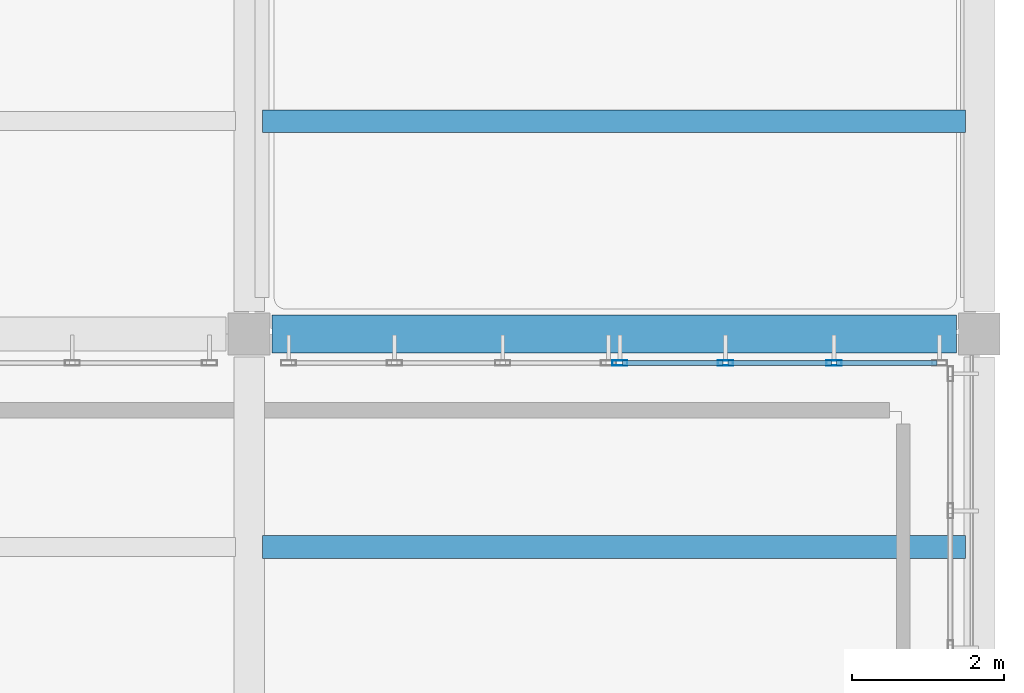
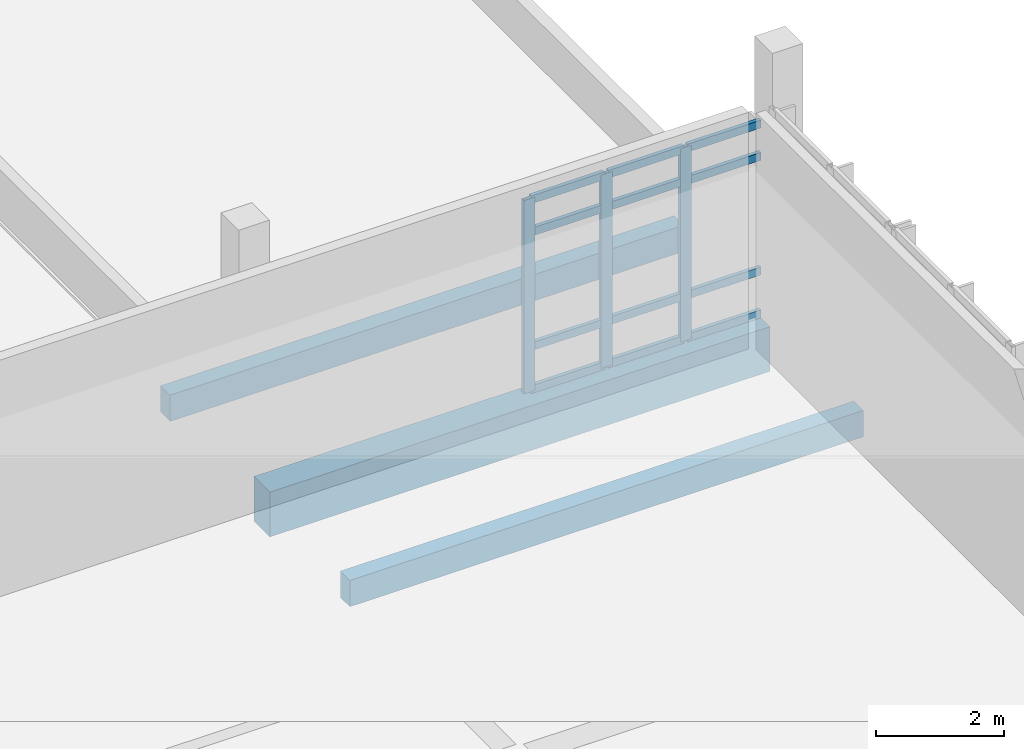
# One storey, part 28 of 63: 15 members, 3 beams, 1 element without a shape of its own.
"""IFC4 building model written with IfcOpenShell, lengths in metres."""

from ifc_helpers import new_model, si_unit, derived_unit, direction, frame, origin, origin_2d, place, context, subcontext, project, spatial, rectangle, hollow_rectangle, extrude, material, layer, layer_set, material_profile, profile_set, type_object, element, aggregate, save


model = new_model("IFC4")

# Units and contexts
model_context = context("Model", 3, precision=1e-05, world=origin(), true_north=direction((0.0, 1.0)))
body_context = subcontext(model_context, "Body", "Model", "MODEL_VIEW")
ifc_project = project(units=[si_unit("LENGTHUNIT", "METRE"), si_unit("AREAUNIT", "SQUARE_METRE"), si_unit("VOLUMEUNIT", "CUBIC_METRE"), si_unit("PLANEANGLEUNIT", "RADIAN"), si_unit("MASSUNIT", "GRAM", prefix="KILO"), derived_unit("THERMALTRANSMITTANCEUNIT", [(si_unit("POWERUNIT", "WATT"), 1), (si_unit("LENGTHUNIT", "METRE"), -2), (si_unit("THERMODYNAMICTEMPERATUREUNIT", "KELVIN"), -1)])], contexts=[model_context])

# Site, building, storey
site_placement = place(None, origin())
site = spatial("IfcSite", under=ifc_project, at=site_placement, CompositionType="ELEMENT")
building_placement = place(site_placement, origin())
building = spatial("IfcBuilding", under=site, at=building_placement, Name="Elbkamm Science Centre", CompositionType="ELEMENT")
storey_placement = place(building_placement, frame((0.0, 0.0, 5.10009765625)))
storey = spatial("IfcBuildingStorey", under=building, at=storey_placement, Name="L01", CompositionType="ELEMENT", Elevation=5.10009765625)

# Beam
ifc_material_1 = material(Name="Concrete C40/50", Category="concrete")
ifc_material_profile_1 = material_profile(ifc_material_1, rectangle(XDim=0.5, YDim=0.85009765625, at=origin_2d()), Name="RC 500x850")
ifc_profile_set_1 = profile_set([ifc_material_profile_1], Name="Concrete C40/50")
beam_type_1 = type_object("IfcBeamType", Name="BM-RC-500x850", PredefinedType="BEAM", material=ifc_profile_set_1)
beam_placement = place(storey_placement, frame((151.5, 75.60009765625, -0.8251953125), z_axis=(1.0, 0.0, 0.0), x_axis=(0.0, 1.0, 0.0)))
element("IfcBeam", 1, at=beam_placement, inside=storey, type_object=beam_type_1, Name="L01 Primary X-Girder 075", PredefinedType="BEAM", context=body_context, shape_type="SweptSolid", body=[
    extrude(rectangle(XDim=0.5, YDim=0.85009765625, at=origin_2d()), origin(), (0.0, 0.0, 1.0), 9.0),
])

# Curtain wall, members
ifc_material_2 = material(Name="Powder-coated aluminium and triple low-E glazing", Category="aluminium")
ifc_layer = layer(ifc_material_2, 0.159912109375)
ifc_layer_set = layer_set([ifc_layer], Name="Powder-coated aluminium and triple low-E glazing")
curtain_wall_type = type_object("IfcCurtainWallType", Name="CW-UNIT-4280x3680", PredefinedType="USERDEFINED", material=ifc_layer_set)
curtain_wall_placement = place(storey_placement, origin())
curtain_wall = element("IfcCurtainWall", 2, at=curtain_wall_placement, inside=storey, type_object=curtain_wall_type, Name="L01 Unitised Curtain Wall 164", ObjectType="UNITISED CURTAIN WALL", PredefinedType="USERDEFINED")
ifc_material_3 = material(Name="Powder-coated aluminium EN AW-6060", Category="aluminium")
ifc_material_profile_2 = material_profile(ifc_material_3, hollow_rectangle(XDim=0.070068359375, YDim=0.199951171875, WallThickness=0.00439453125, at=origin_2d()), Name="ALU M70x200")
ifc_profile_set_2 = profile_set([ifc_material_profile_2], Name="Powder-coated aluminium EN AW-6060")
member_type_1 = type_object("IfcMemberType", Name="CW-MUL-70x200", PredefinedType="MULLION", material=ifc_profile_set_2)
member_1_placement = place(storey_placement, frame((156.074951171875, 75.219970703125, 0.0), z_axis=(0.0, 0.0, 1.0), x_axis=(0.0, 1.0, 0.0)))
member_1 = element("IfcMember", 3, at=member_1_placement, type_object=member_type_1, Name="CW-076 mullion 1", PredefinedType="MULLION", context=body_context, shape_type="SweptSolid", body=[
    extrude(hollow_rectangle(XDim=0.070068359375, YDim=0.199951171875, WallThickness=0.00439453125, at=origin_2d()), origin(), (0.0, 0.0, 1.0), 3.679931640625),
])
member_2_placement = place(storey_placement, frame((157.464599609375, 75.219970703125, 0.0), z_axis=(0.0, 0.0, 1.0), x_axis=(0.0, 1.0, 0.0)))
member_2 = element("IfcMember", 4, at=member_2_placement, type_object=member_type_1, Name="CW-076 mullion 2", PredefinedType="MULLION", context=body_context, shape_type="SweptSolid", body=[
    extrude(hollow_rectangle(XDim=0.070068359375, YDim=0.199951171875, WallThickness=0.00439453125, at=origin_2d()), origin(), (0.0, 0.0, 1.0), 3.679931640625),
])
member_3_placement = place(storey_placement, frame((158.88916015625, 75.219970703125, 0.0), z_axis=(0.0, 0.0, 1.0), x_axis=(0.0, 1.0, 0.0)))
member_3 = element("IfcMember", 5, at=member_3_placement, type_object=member_type_1, Name="CW-076 mullion 3", PredefinedType="MULLION", context=body_context, shape_type="SweptSolid", body=[
    extrude(hollow_rectangle(XDim=0.070068359375, YDim=0.199951171875, WallThickness=0.00439453125, at=origin_2d()), origin(), (0.0, 0.0, 1.0), 3.679931640625),
])
ifc_material_profile_3 = material_profile(ifc_material_3, hollow_rectangle(XDim=0.070068359375, YDim=0.14990234375, WallThickness=0.00390625, at=origin_2d()), Name="ALU T70x150")
ifc_profile_set_3 = profile_set([ifc_material_profile_3], Name="Powder-coated aluminium EN AW-6060")
member_type_2 = type_object("IfcMemberType", Name="CW-TRN-70x150", PredefinedType="USERDEFINED", material=ifc_profile_set_3)
member_4_placement = place(storey_placement, frame((156.110107421875, 75.219970703125, 0.034912109375), z_axis=(1.0, 0.0, 0.0), x_axis=(0.0, 1.0, 0.0)))
member_4 = element("IfcMember", 6, at=member_4_placement, type_object=member_type_2, Name="CW-076 transom 1.1", ObjectType="TRANSOM", PredefinedType="USERDEFINED", context=body_context, shape_type="SweptSolid", body=[
    extrude(hollow_rectangle(XDim=0.070068359375, YDim=0.14990234375, WallThickness=0.00390625, at=origin_2d()), origin(), (0.0, 0.0, 1.0), 1.319580078125),
])
member_5_placement = place(storey_placement, frame((156.110107421875, 75.219970703125, 0.849853515625), z_axis=(1.0, 0.0, 0.0), x_axis=(0.0, 1.0, 0.0)))
member_5 = element("IfcMember", 7, at=member_5_placement, type_object=member_type_2, Name="CW-076 transom 1.2", ObjectType="TRANSOM", PredefinedType="USERDEFINED", context=body_context, shape_type="SweptSolid", body=[
    extrude(hollow_rectangle(XDim=0.070068359375, YDim=0.14990234375, WallThickness=0.00390625, at=origin_2d()), origin(), (0.0, 0.0, 1.0), 1.319580078125),
])
member_6_placement = place(storey_placement, frame((156.110107421875, 75.219970703125, 3.02978515625), z_axis=(1.0, 0.0, 0.0), x_axis=(0.0, 1.0, 0.0)))
member_6 = element("IfcMember", 8, at=member_6_placement, type_object=member_type_2, Name="CW-076 transom 1.3", ObjectType="TRANSOM", PredefinedType="USERDEFINED", context=body_context, shape_type="SweptSolid", body=[
    extrude(hollow_rectangle(XDim=0.070068359375, YDim=0.14990234375, WallThickness=0.00390625, at=origin_2d()), origin(), (0.0, 0.0, 1.0), 1.319580078125),
])
member_7_placement = place(storey_placement, frame((156.110107421875, 75.219970703125, 3.64501953125), z_axis=(1.0, 0.0, 0.0), x_axis=(0.0, 1.0, 0.0)))
member_7 = element("IfcMember", 9, at=member_7_placement, type_object=member_type_2, Name="CW-076 transom 1.4", ObjectType="TRANSOM", PredefinedType="USERDEFINED", context=body_context, shape_type="SweptSolid", body=[
    extrude(hollow_rectangle(XDim=0.070068359375, YDim=0.14990234375, WallThickness=0.00390625, at=origin_2d()), origin(), (0.0, 0.0, 1.0), 1.319580078125),
])
member_8_placement = place(storey_placement, frame((157.49951171875, 75.219970703125, 0.034912109375), z_axis=(1.0, 0.0, 0.0), x_axis=(0.0, 1.0, 0.0)))
member_8 = element("IfcMember", 10, at=member_8_placement, type_object=member_type_2, Name="CW-076 transom 2.1", ObjectType="TRANSOM", PredefinedType="USERDEFINED", context=body_context, shape_type="SweptSolid", body=[
    extrude(hollow_rectangle(XDim=0.070068359375, YDim=0.14990234375, WallThickness=0.00390625, at=origin_2d()), origin(), (0.0, 0.0, 1.0), 1.354736328125),
])
member_9_placement = place(storey_placement, frame((157.49951171875, 75.219970703125, 0.849853515625), z_axis=(1.0, 0.0, 0.0), x_axis=(0.0, 1.0, 0.0)))
member_9 = element("IfcMember", 11, at=member_9_placement, type_object=member_type_2, Name="CW-076 transom 2.2", ObjectType="TRANSOM", PredefinedType="USERDEFINED", context=body_context, shape_type="SweptSolid", body=[
    extrude(hollow_rectangle(XDim=0.070068359375, YDim=0.14990234375, WallThickness=0.00390625, at=origin_2d()), origin(), (0.0, 0.0, 1.0), 1.354736328125),
])
member_10_placement = place(storey_placement, frame((157.49951171875, 75.219970703125, 3.02978515625), z_axis=(1.0, 0.0, 0.0), x_axis=(0.0, 1.0, 0.0)))
member_10 = element("IfcMember", 12, at=member_10_placement, type_object=member_type_2, Name="CW-076 transom 2.3", ObjectType="TRANSOM", PredefinedType="USERDEFINED", context=body_context, shape_type="SweptSolid", body=[
    extrude(hollow_rectangle(XDim=0.070068359375, YDim=0.14990234375, WallThickness=0.00390625, at=origin_2d()), origin(), (0.0, 0.0, 1.0), 1.354736328125),
])
member_11_placement = place(storey_placement, frame((157.49951171875, 75.219970703125, 3.64501953125), z_axis=(1.0, 0.0, 0.0), x_axis=(0.0, 1.0, 0.0)))
member_11 = element("IfcMember", 13, at=member_11_placement, type_object=member_type_2, Name="CW-076 transom 2.4", ObjectType="TRANSOM", PredefinedType="USERDEFINED", context=body_context, shape_type="SweptSolid", body=[
    extrude(hollow_rectangle(XDim=0.070068359375, YDim=0.14990234375, WallThickness=0.00390625, at=origin_2d()), origin(), (0.0, 0.0, 1.0), 1.354736328125),
])
member_12_placement = place(storey_placement, frame((158.924072265625, 75.219970703125, 0.034912109375), z_axis=(1.0, 0.0, 0.0), x_axis=(0.0, 1.0, 0.0)))
member_12 = element("IfcMember", 14, at=member_12_placement, type_object=member_type_2, Name="CW-076 transom 3.1", ObjectType="TRANSOM", PredefinedType="USERDEFINED", context=body_context, shape_type="SweptSolid", body=[
    extrude(hollow_rectangle(XDim=0.070068359375, YDim=0.14990234375, WallThickness=0.00390625, at=origin_2d()), origin(), (0.0, 0.0, 1.0), 1.319580078125),
])
member_13_placement = place(storey_placement, frame((158.924072265625, 75.219970703125, 0.849853515625), z_axis=(1.0, 0.0, 0.0), x_axis=(0.0, 1.0, 0.0)))
member_13 = element("IfcMember", 15, at=member_13_placement, type_object=member_type_2, Name="CW-076 transom 3.2", ObjectType="TRANSOM", PredefinedType="USERDEFINED", context=body_context, shape_type="SweptSolid", body=[
    extrude(hollow_rectangle(XDim=0.070068359375, YDim=0.14990234375, WallThickness=0.00390625, at=origin_2d()), origin(), (0.0, 0.0, 1.0), 1.319580078125),
])
member_14_placement = place(storey_placement, frame((158.924072265625, 75.219970703125, 3.02978515625), z_axis=(1.0, 0.0, 0.0), x_axis=(0.0, 1.0, 0.0)))
member_14 = element("IfcMember", 16, at=member_14_placement, type_object=member_type_2, Name="CW-076 transom 3.3", ObjectType="TRANSOM", PredefinedType="USERDEFINED", context=body_context, shape_type="SweptSolid", body=[
    extrude(hollow_rectangle(XDim=0.070068359375, YDim=0.14990234375, WallThickness=0.00390625, at=origin_2d()), origin(), (0.0, 0.0, 1.0), 1.319580078125),
])
member_15_placement = place(storey_placement, frame((158.924072265625, 75.219970703125, 3.64501953125), z_axis=(1.0, 0.0, 0.0), x_axis=(0.0, 1.0, 0.0)))
member_15 = element("IfcMember", 17, at=member_15_placement, type_object=member_type_2, Name="CW-076 transom 3.4", ObjectType="TRANSOM", PredefinedType="USERDEFINED", context=body_context, shape_type="SweptSolid", body=[
    extrude(hollow_rectangle(XDim=0.070068359375, YDim=0.14990234375, WallThickness=0.00390625, at=origin_2d()), origin(), (0.0, 0.0, 1.0), 1.319580078125),
])
aggregate(curtain_wall, [member_1, member_2, member_3, member_4, member_5, member_6, member_7, member_8, member_9, member_10, member_11, member_12, member_13, member_14, member_15])

# Beams
ifc_material_profile_4 = material_profile(ifc_material_1, rectangle(XDim=0.300048828125, YDim=0.5, at=origin_2d()), Name="RC 300x500")
ifc_profile_set_4 = profile_set([ifc_material_profile_4], Name="Concrete C40/50")
beam_type_2 = type_object("IfcBeamType", Name="JST-RC-300x500", PredefinedType="JOIST", material=ifc_profile_set_4)
for number, where, z_axis, x_axis, name in (
    (18, (151.3798828125, 72.800048828125, -0.650146484375), (1.0, 0.0, 0.0), (0.0, 1.0, 0.0), "L01 Secondary Floor Joist 096"),
    (19, (151.3798828125, 78.39990234375, -0.52001953125), (1.0, 0.0, 0.0), (0.0, 1.0, 0.0), "L01 Step-Back Secondary Floor Joist 013"),
):
    element("IfcBeam", number, at=place(storey_placement, frame(where, z_axis=z_axis, x_axis=x_axis)), inside=storey, type_object=beam_type_2, Name=name, PredefinedType="JOIST", context=body_context, shape_type="SweptSolid", body=[
        extrude(rectangle(XDim=0.300048828125, YDim=0.5, at=origin_2d()), origin(), (0.0, 0.0, 1.0), 9.240234375),
    ])

save(model, "model.ifc")
